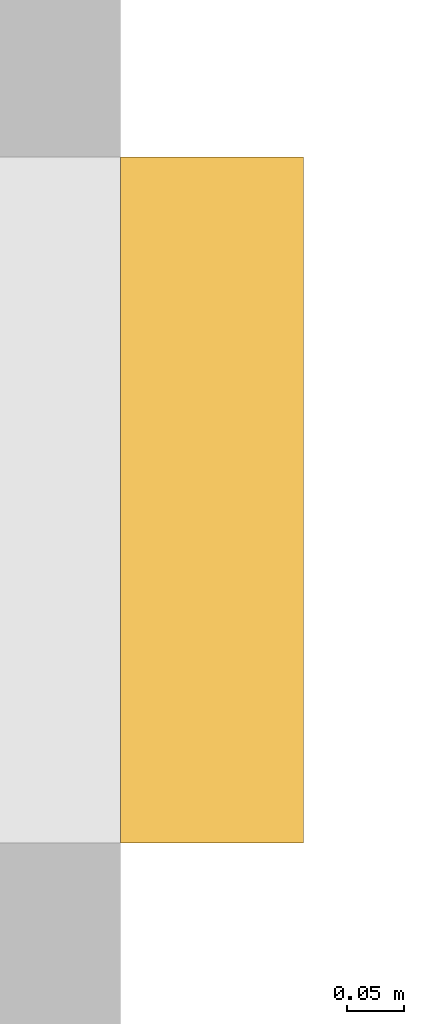
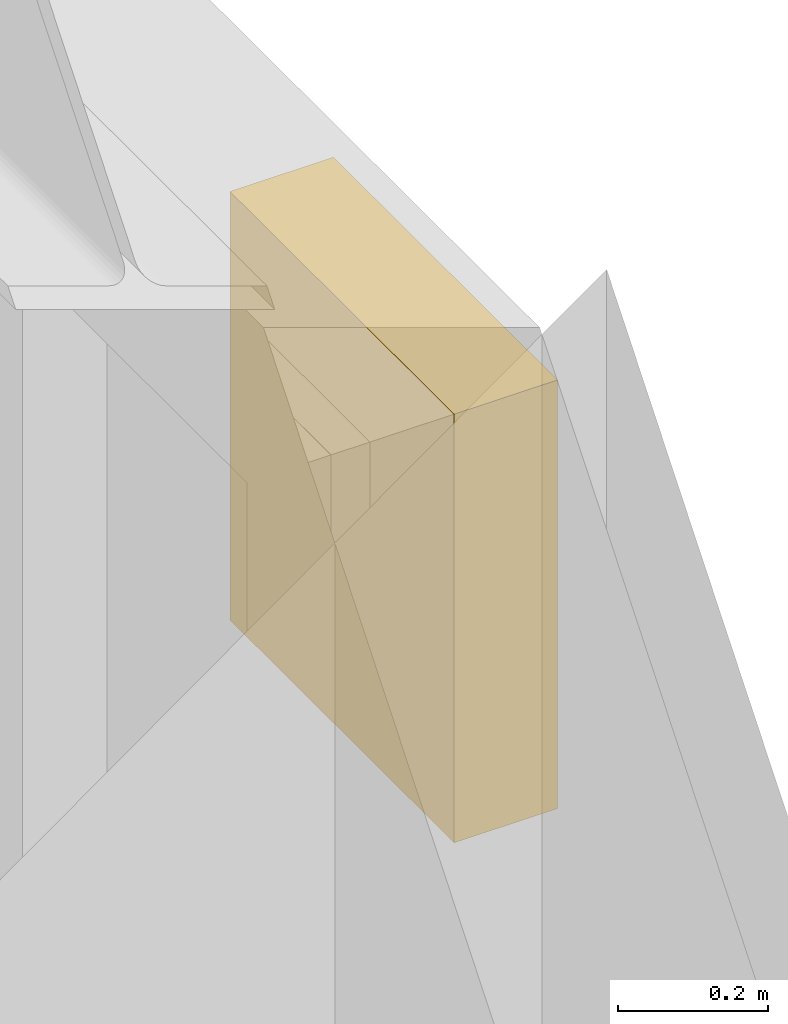
# One storey, part 11 of 11: 1 shading device.
"""IFC4 building model written with IfcOpenShell, lengths in metres."""

from ifc_helpers import new_model, si_unit, direction, frame, origin, origin_2d, place, context, subcontext, project, spatial, rectangle, extrude, material, type_object, element, save


model = new_model("IFC4")

# Units and contexts
model_context = context("Model", 3, precision=1e-05, world=origin(), true_north=direction((0.0, 1.0)))
body_context = subcontext(model_context, "Body", "Model", "MODEL_VIEW")
ifc_project = project(units=[si_unit("LENGTHUNIT", "METRE"), si_unit("AREAUNIT", "SQUARE_METRE"), si_unit("VOLUMEUNIT", "CUBIC_METRE"), si_unit("PLANEANGLEUNIT", "RADIAN"), si_unit("MASSUNIT", "GRAM", prefix="KILO")], contexts=[model_context])

# Site, building, storey
site_placement = place(None, origin())
site = spatial("IfcSite", under=ifc_project, at=site_placement, CompositionType="ELEMENT")
building_placement = place(site_placement, origin())
building = spatial("IfcBuilding", under=site, at=building_placement, Name="Orvandelia Arch Residences", CompositionType="ELEMENT")
storey_placement = place(building_placement, frame((0.0, 0.0, 61.0)))
storey = spatial("IfcBuildingStorey", under=building, at=storey_placement, Name="L15", CompositionType="ELEMENT", Elevation=61.0)

# Shading device
ifc_material = material(Name="Anodised Champagne-Bronze Extruded Aluminium", Category="aluminium")
shading_device_type = type_object("IfcShadingDeviceType", Name="SHD-JALOUSIE-SCREEN", PredefinedType="JALOUSIE", material=ifc_material)
shading_device_placement = place(storey_placement, frame((24.080078125, 20.284912109375, 1.5498046875), z_axis=(0.0, 0.0, 1.0), x_axis=(0.0, -1.0, 0.0)))
element("IfcShadingDevice", 1, at=shading_device_placement, inside=storey, type_object=shading_device_type, Name="Bronze Jalousie Sun-Shade L15-007", PredefinedType="JALOUSIE", context=body_context, shape_type="SweptSolid", body=[
    extrude(rectangle(XDim=0.60009765625, YDim=0.159912109375, at=origin_2d()), origin(), (0.0, 0.0, 1.0), 0.699951171875),
])

save(model, "model.ifc")
